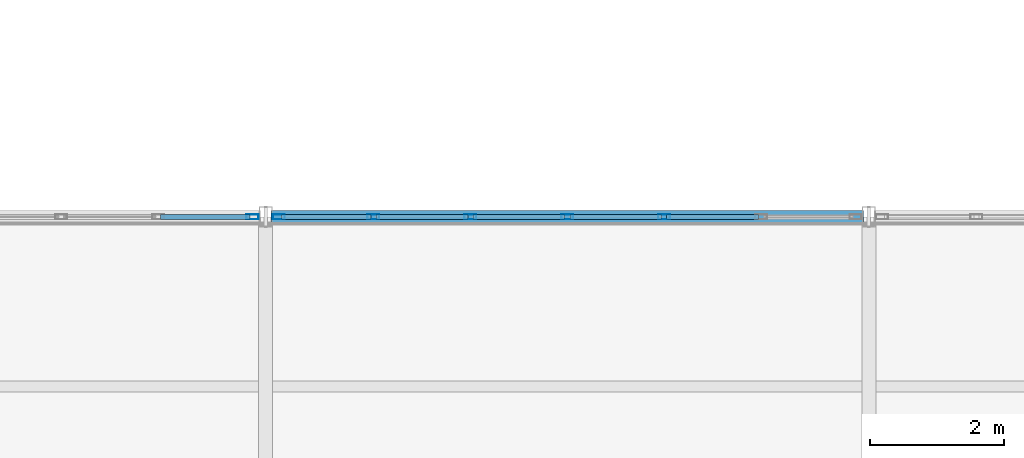
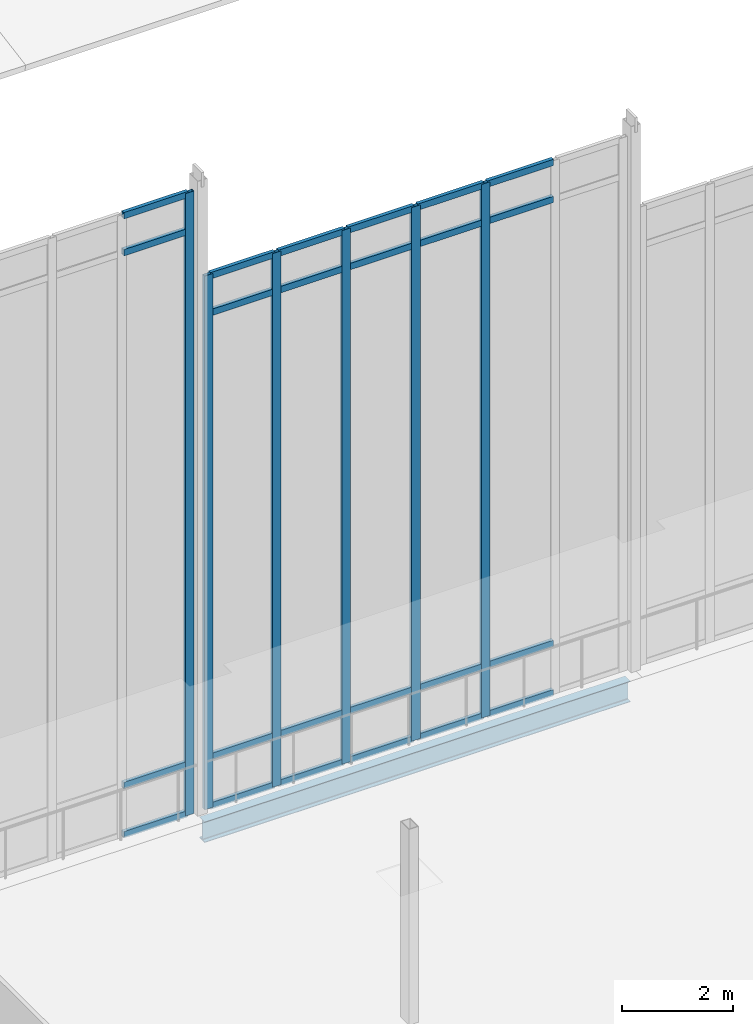
# One storey, part 45 of 166: 30 members, 1 beam, 2 elements without a shape of their own.
"""IFC4 building model written with IfcOpenShell, lengths in metres."""

from ifc_helpers import new_model, si_unit, direction, frame, origin, origin_2d, place, context, subcontext, project, spatial, hollow_rectangle, i_section, extrude, material, material_profile, profile_set, type_object, element, aggregate, save


model = new_model("IFC4")

# Units and contexts
model_context = context("Model", 3, precision=1e-05, world=origin(), true_north=direction((0.0, 1.0)))
body_context = subcontext(model_context, "Body", "Model", "MODEL_VIEW")
ifc_project = project(units=[si_unit("LENGTHUNIT", "METRE"), si_unit("AREAUNIT", "SQUARE_METRE"), si_unit("VOLUMEUNIT", "CUBIC_METRE"), si_unit("PLANEANGLEUNIT", "RADIAN"), si_unit("MASSUNIT", "GRAM", prefix="KILO")], contexts=[model_context])

# Site, building, storey
site_placement = place(None, origin())
site = spatial("IfcSite", under=ifc_project, at=site_placement, CompositionType="ELEMENT")
building_placement = place(site_placement, origin())
building = spatial("IfcBuilding", under=site, at=building_placement, Name="Caisbarro Railhouse Central Library", CompositionType="ELEMENT")
storey_placement = place(building_placement, frame((0.0, 0.0, 9.360107421875)))
storey = spatial("IfcBuildingStorey", under=building, at=storey_placement, Name="L02", CompositionType="ELEMENT", Elevation=9.360107421875)

# Beam
ifc_material_1 = material(Name="Steel ASTM A572 Grade 50", Category="steel")
ifc_material_profile_1 = material_profile(ifc_material_1, i_section(OverallWidth=0.18994140625, OverallDepth=0.45703125, WebThickness=0.009033203125, FlangeThickness=0.014404296875, FilletRadius=0.01806640625, at=origin_2d()), Name="W460X74.0")
ifc_profile_set_1 = profile_set([ifc_material_profile_1], Name="Steel ASTM A572 Grade 50")
beam_type = type_object("IfcBeamType", Name="BM-SP01", PredefinedType="SPANDREL", material=ifc_profile_set_1)
beam_placement = place(storey_placement, frame((9.080078125, 60.800048828125, -0.448486328125), z_axis=(1.0, 0.0, 0.0), x_axis=(0.0, 1.0, 0.0)))
element("IfcBeam", 1, at=beam_placement, inside=storey, type_object=beam_type, Name="SP01 beam L02 #1381", PredefinedType="SPANDREL", context=body_context, shape_type="SweptSolid", body=[
    extrude(i_section(OverallWidth=0.18994140625, OverallDepth=0.45703125, WebThickness=0.009033203125, FlangeThickness=0.014404296875, FilletRadius=0.01806640625, at=origin_2d()), origin(), (0.0, 0.0, 1.0), 8.83984375),
])

# Curtain wall, member
ifc_material_2 = material(Name="Anodised architectural aluminium", Category="aluminium")
curtain_wall_type = type_object("IfcCurtainWallType", Name="CW-CW05", PredefinedType="NOTDEFINED", material=ifc_material_2)
curtain_wall_1_placement = place(storey_placement, origin())
curtain_wall_1 = element("IfcCurtainWall", 2, at=curtain_wall_1_placement, inside=storey, type_object=curtain_wall_type, Name="CW05 curtain wall L02 #3", PredefinedType="NOTDEFINED")
ifc_material_profile_2 = material_profile(ifc_material_2, hollow_rectangle(XDim=0.074951171875, YDim=0.179931640625, WallThickness=0.00439453125, at=origin_2d()), Name="ALU-MUL-75X180")
ifc_profile_set_2 = profile_set([ifc_material_profile_2], Name="Anodised architectural aluminium")
member_type_1 = type_object("IfcMemberType", Name="CWM-M01", PredefinedType="MULLION", material=ifc_profile_set_2)
member_1_placement = place(storey_placement, frame((8.802490234375, 60.800048828125, 0.0), z_axis=(0.0, 0.0, 1.0), x_axis=(0.0, 1.0, 0.0)))
member_1 = element("IfcMember", 3, at=member_1_placement, type_object=member_type_1, Name="CW05 mullion 7", PredefinedType="MULLION", context=body_context, shape_type="SweptSolid", body=[
    extrude(hollow_rectangle(XDim=0.074951171875, YDim=0.179931640625, WallThickness=0.00439453125, at=origin_2d()), origin(), (0.0, 0.0, 1.0), 13.669921875),
])

# Curtain wall, members
curtain_wall_2_placement = place(storey_placement, origin())
curtain_wall_2 = element("IfcCurtainWall", 4, at=curtain_wall_2_placement, inside=storey, type_object=curtain_wall_type, Name="CW05 curtain wall L02 #5", PredefinedType="NOTDEFINED")
member_2_placement = place(storey_placement, frame((9.197509765625, 60.800048828125, 0.0), z_axis=(0.0, 0.0, 1.0), x_axis=(0.0, 1.0, 0.0)))
member_2 = element("IfcMember", 5, at=member_2_placement, type_object=member_type_1, Name="CW05 mullion 1", PredefinedType="MULLION", context=body_context, shape_type="SweptSolid", body=[
    extrude(hollow_rectangle(XDim=0.074951171875, YDim=0.179931640625, WallThickness=0.00439453125, at=origin_2d()), origin(), (0.0, 0.0, 1.0), 11.719970703125),
])
member_3_placement = place(storey_placement, frame((10.606689453125, 60.800048828125, 0.0), z_axis=(0.0, 0.0, 1.0), x_axis=(0.0, 1.0, 0.0)))
member_3 = element("IfcMember", 6, at=member_3_placement, type_object=member_type_1, Name="CW05 mullion 2", PredefinedType="MULLION", context=body_context, shape_type="SweptSolid", body=[
    extrude(hollow_rectangle(XDim=0.074951171875, YDim=0.179931640625, WallThickness=0.00439453125, at=origin_2d()), origin(), (0.0, 0.0, 1.0), 11.719970703125),
])
member_4_placement = place(storey_placement, frame((12.05322265625, 60.800048828125, 0.0), z_axis=(0.0, 0.0, 1.0), x_axis=(0.0, 1.0, 0.0)))
member_4 = element("IfcMember", 7, at=member_4_placement, type_object=member_type_1, Name="CW05 mullion 3", PredefinedType="MULLION", context=body_context, shape_type="SweptSolid", body=[
    extrude(hollow_rectangle(XDim=0.074951171875, YDim=0.179931640625, WallThickness=0.00439453125, at=origin_2d()), origin(), (0.0, 0.0, 1.0), 11.719970703125),
])
member_5_placement = place(storey_placement, frame((13.5, 60.800048828125, 0.0), z_axis=(0.0, 0.0, 1.0), x_axis=(0.0, 1.0, 0.0)))
member_5 = element("IfcMember", 8, at=member_5_placement, type_object=member_type_1, Name="CW05 mullion 4", PredefinedType="MULLION", context=body_context, shape_type="SweptSolid", body=[
    extrude(hollow_rectangle(XDim=0.074951171875, YDim=0.179931640625, WallThickness=0.00439453125, at=origin_2d()), origin(), (0.0, 0.0, 1.0), 11.719970703125),
])
member_6_placement = place(storey_placement, frame((14.94677734375, 60.800048828125, 0.0), z_axis=(0.0, 0.0, 1.0), x_axis=(0.0, 1.0, 0.0)))
member_6 = element("IfcMember", 9, at=member_6_placement, type_object=member_type_1, Name="CW05 mullion 5", PredefinedType="MULLION", context=body_context, shape_type="SweptSolid", body=[
    extrude(hollow_rectangle(XDim=0.074951171875, YDim=0.179931640625, WallThickness=0.00439453125, at=origin_2d()), origin(), (0.0, 0.0, 1.0), 11.719970703125),
])

# Member
ifc_material_profile_3 = material_profile(ifc_material_2, hollow_rectangle(XDim=0.074951171875, YDim=0.139892578125, WallThickness=0.00390625, at=origin_2d()), Name="ALU-TRN-75X140")
ifc_profile_set_3 = profile_set([ifc_material_profile_3], Name="Anodised architectural aluminium")
member_type_2 = type_object("IfcMemberType", Name="CWT-T01", PredefinedType="USERDEFINED", material=ifc_profile_set_3)
member_7_placement = place(storey_placement, frame((7.430908203125, 60.800048828125, 0.037353515625), z_axis=(1.0, 0.0, 0.0), x_axis=(0.0, 1.0, 0.0)))
member_7 = element("IfcMember", 10, at=member_7_placement, type_object=member_type_2, Name="CW05 transom 6.1", ObjectType="TRANSOM", PredefinedType="USERDEFINED", context=body_context, shape_type="SweptSolid", body=[
    extrude(hollow_rectangle(XDim=0.074951171875, YDim=0.139892578125, WallThickness=0.00390625, at=origin_2d()), origin(), (0.0, 0.0, 1.0), 1.333984375),
])

member_8_placement = place(storey_placement, frame((7.430908203125, 60.800048828125, 1.119873046875), z_axis=(1.0, 0.0, 0.0), x_axis=(0.0, 1.0, 0.0)))
member_8 = element("IfcMember", 11, at=member_8_placement, type_object=member_type_2, Name="CW05 transom 6.2", ObjectType="TRANSOM", PredefinedType="USERDEFINED", context=body_context, shape_type="SweptSolid", body=[
    extrude(hollow_rectangle(XDim=0.074951171875, YDim=0.139892578125, WallThickness=0.00390625, at=origin_2d()), origin(), (0.0, 0.0, 1.0), 1.333984375),
])

member_9_placement = place(storey_placement, frame((7.430908203125, 60.800048828125, 12.81982421875), z_axis=(1.0, 0.0, 0.0), x_axis=(0.0, 1.0, 0.0)))
member_9 = element("IfcMember", 12, at=member_9_placement, type_object=member_type_2, Name="CW05 transom 6.3", ObjectType="TRANSOM", PredefinedType="USERDEFINED", context=body_context, shape_type="SweptSolid", body=[
    extrude(hollow_rectangle(XDim=0.074951171875, YDim=0.139892578125, WallThickness=0.00390625, at=origin_2d()), origin(), (0.0, 0.0, 1.0), 1.333984375),
])

member_10_placement = place(storey_placement, frame((7.430908203125, 60.800048828125, 13.63232421875), z_axis=(1.0, 0.0, 0.0), x_axis=(0.0, 1.0, 0.0)))
member_10 = element("IfcMember", 13, at=member_10_placement, type_object=member_type_2, Name="CW05 transom 6.4", ObjectType="TRANSOM", PredefinedType="USERDEFINED", context=body_context, shape_type="SweptSolid", body=[
    extrude(hollow_rectangle(XDim=0.074951171875, YDim=0.139892578125, WallThickness=0.00390625, at=origin_2d()), origin(), (0.0, 0.0, 1.0), 1.333984375),
])

aggregate(curtain_wall_1, [member_1, member_7, member_8, member_9, member_10])

member_11_placement = place(storey_placement, frame((9.235107421875, 60.800048828125, 0.037353515625), z_axis=(1.0, 0.0, 0.0), x_axis=(0.0, 1.0, 0.0)))
member_11 = element("IfcMember", 14, at=member_11_placement, type_object=member_type_2, Name="CW05 transom 1.1", ObjectType="TRANSOM", PredefinedType="USERDEFINED", context=body_context, shape_type="SweptSolid", body=[
    extrude(hollow_rectangle(XDim=0.074951171875, YDim=0.139892578125, WallThickness=0.00390625, at=origin_2d()), origin(), (0.0, 0.0, 1.0), 1.333984375),
])

member_12_placement = place(storey_placement, frame((9.235107421875, 60.800048828125, 1.119873046875), z_axis=(1.0, 0.0, 0.0), x_axis=(0.0, 1.0, 0.0)))
member_12 = element("IfcMember", 15, at=member_12_placement, type_object=member_type_2, Name="CW05 transom 1.2", ObjectType="TRANSOM", PredefinedType="USERDEFINED", context=body_context, shape_type="SweptSolid", body=[
    extrude(hollow_rectangle(XDim=0.074951171875, YDim=0.139892578125, WallThickness=0.00390625, at=origin_2d()), origin(), (0.0, 0.0, 1.0), 1.333984375),
])

member_13_placement = place(storey_placement, frame((9.235107421875, 60.800048828125, 10.869873046875), z_axis=(1.0, 0.0, 0.0), x_axis=(0.0, 1.0, 0.0)))
member_13 = element("IfcMember", 16, at=member_13_placement, type_object=member_type_2, Name="CW05 transom 1.3", ObjectType="TRANSOM", PredefinedType="USERDEFINED", context=body_context, shape_type="SweptSolid", body=[
    extrude(hollow_rectangle(XDim=0.074951171875, YDim=0.139892578125, WallThickness=0.00390625, at=origin_2d()), origin(), (0.0, 0.0, 1.0), 1.333984375),
])

member_14_placement = place(storey_placement, frame((9.235107421875, 60.800048828125, 11.682373046875), z_axis=(1.0, 0.0, 0.0), x_axis=(0.0, 1.0, 0.0)))
member_14 = element("IfcMember", 17, at=member_14_placement, type_object=member_type_2, Name="CW05 transom 1.4", ObjectType="TRANSOM", PredefinedType="USERDEFINED", context=body_context, shape_type="SweptSolid", body=[
    extrude(hollow_rectangle(XDim=0.074951171875, YDim=0.139892578125, WallThickness=0.00390625, at=origin_2d()), origin(), (0.0, 0.0, 1.0), 1.333984375),
])

member_15_placement = place(storey_placement, frame((10.644287109375, 60.800048828125, 0.037353515625), z_axis=(1.0, 0.0, 0.0), x_axis=(0.0, 1.0, 0.0)))
member_15 = element("IfcMember", 18, at=member_15_placement, type_object=member_type_2, Name="CW05 transom 2.1", ObjectType="TRANSOM", PredefinedType="USERDEFINED", context=body_context, shape_type="SweptSolid", body=[
    extrude(hollow_rectangle(XDim=0.074951171875, YDim=0.139892578125, WallThickness=0.00390625, at=origin_2d()), origin(), (0.0, 0.0, 1.0), 1.37158203125),
])

member_16_placement = place(storey_placement, frame((10.644287109375, 60.800048828125, 1.119873046875), z_axis=(1.0, 0.0, 0.0), x_axis=(0.0, 1.0, 0.0)))
member_16 = element("IfcMember", 19, at=member_16_placement, type_object=member_type_2, Name="CW05 transom 2.2", ObjectType="TRANSOM", PredefinedType="USERDEFINED", context=body_context, shape_type="SweptSolid", body=[
    extrude(hollow_rectangle(XDim=0.074951171875, YDim=0.139892578125, WallThickness=0.00390625, at=origin_2d()), origin(), (0.0, 0.0, 1.0), 1.37158203125),
])

member_17_placement = place(storey_placement, frame((10.644287109375, 60.800048828125, 10.869873046875), z_axis=(1.0, 0.0, 0.0), x_axis=(0.0, 1.0, 0.0)))
member_17 = element("IfcMember", 20, at=member_17_placement, type_object=member_type_2, Name="CW05 transom 2.3", ObjectType="TRANSOM", PredefinedType="USERDEFINED", context=body_context, shape_type="SweptSolid", body=[
    extrude(hollow_rectangle(XDim=0.074951171875, YDim=0.139892578125, WallThickness=0.00390625, at=origin_2d()), origin(), (0.0, 0.0, 1.0), 1.37158203125),
])

member_18_placement = place(storey_placement, frame((10.644287109375, 60.800048828125, 11.682373046875), z_axis=(1.0, 0.0, 0.0), x_axis=(0.0, 1.0, 0.0)))
member_18 = element("IfcMember", 21, at=member_18_placement, type_object=member_type_2, Name="CW05 transom 2.4", ObjectType="TRANSOM", PredefinedType="USERDEFINED", context=body_context, shape_type="SweptSolid", body=[
    extrude(hollow_rectangle(XDim=0.074951171875, YDim=0.139892578125, WallThickness=0.00390625, at=origin_2d()), origin(), (0.0, 0.0, 1.0), 1.37158203125),
])

member_19_placement = place(storey_placement, frame((12.0908203125, 60.800048828125, 0.037353515625), z_axis=(1.0, 0.0, 0.0), x_axis=(0.0, 1.0, 0.0)))
member_19 = element("IfcMember", 22, at=member_19_placement, type_object=member_type_2, Name="CW05 transom 3.1", ObjectType="TRANSOM", PredefinedType="USERDEFINED", context=body_context, shape_type="SweptSolid", body=[
    extrude(hollow_rectangle(XDim=0.074951171875, YDim=0.139892578125, WallThickness=0.00390625, at=origin_2d()), origin(), (0.0, 0.0, 1.0), 1.37158203125),
])

member_20_placement = place(storey_placement, frame((12.0908203125, 60.800048828125, 1.119873046875), z_axis=(1.0, 0.0, 0.0), x_axis=(0.0, 1.0, 0.0)))
member_20 = element("IfcMember", 23, at=member_20_placement, type_object=member_type_2, Name="CW05 transom 3.2", ObjectType="TRANSOM", PredefinedType="USERDEFINED", context=body_context, shape_type="SweptSolid", body=[
    extrude(hollow_rectangle(XDim=0.074951171875, YDim=0.139892578125, WallThickness=0.00390625, at=origin_2d()), origin(), (0.0, 0.0, 1.0), 1.37158203125),
])

member_21_placement = place(storey_placement, frame((12.0908203125, 60.800048828125, 10.869873046875), z_axis=(1.0, 0.0, 0.0), x_axis=(0.0, 1.0, 0.0)))
member_21 = element("IfcMember", 24, at=member_21_placement, type_object=member_type_2, Name="CW05 transom 3.3", ObjectType="TRANSOM", PredefinedType="USERDEFINED", context=body_context, shape_type="SweptSolid", body=[
    extrude(hollow_rectangle(XDim=0.074951171875, YDim=0.139892578125, WallThickness=0.00390625, at=origin_2d()), origin(), (0.0, 0.0, 1.0), 1.37158203125),
])

member_22_placement = place(storey_placement, frame((12.0908203125, 60.800048828125, 11.682373046875), z_axis=(1.0, 0.0, 0.0), x_axis=(0.0, 1.0, 0.0)))
member_22 = element("IfcMember", 25, at=member_22_placement, type_object=member_type_2, Name="CW05 transom 3.4", ObjectType="TRANSOM", PredefinedType="USERDEFINED", context=body_context, shape_type="SweptSolid", body=[
    extrude(hollow_rectangle(XDim=0.074951171875, YDim=0.139892578125, WallThickness=0.00390625, at=origin_2d()), origin(), (0.0, 0.0, 1.0), 1.37158203125),
])

member_23_placement = place(storey_placement, frame((13.53759765625, 60.800048828125, 0.037353515625), z_axis=(1.0, 0.0, 0.0), x_axis=(0.0, 1.0, 0.0)))
member_23 = element("IfcMember", 26, at=member_23_placement, type_object=member_type_2, Name="CW05 transom 4.1", ObjectType="TRANSOM", PredefinedType="USERDEFINED", context=body_context, shape_type="SweptSolid", body=[
    extrude(hollow_rectangle(XDim=0.074951171875, YDim=0.139892578125, WallThickness=0.00390625, at=origin_2d()), origin(), (0.0, 0.0, 1.0), 1.37158203125),
])

member_24_placement = place(storey_placement, frame((13.53759765625, 60.800048828125, 1.119873046875), z_axis=(1.0, 0.0, 0.0), x_axis=(0.0, 1.0, 0.0)))
member_24 = element("IfcMember", 27, at=member_24_placement, type_object=member_type_2, Name="CW05 transom 4.2", ObjectType="TRANSOM", PredefinedType="USERDEFINED", context=body_context, shape_type="SweptSolid", body=[
    extrude(hollow_rectangle(XDim=0.074951171875, YDim=0.139892578125, WallThickness=0.00390625, at=origin_2d()), origin(), (0.0, 0.0, 1.0), 1.37158203125),
])

member_25_placement = place(storey_placement, frame((13.53759765625, 60.800048828125, 10.869873046875), z_axis=(1.0, 0.0, 0.0), x_axis=(0.0, 1.0, 0.0)))
member_25 = element("IfcMember", 28, at=member_25_placement, type_object=member_type_2, Name="CW05 transom 4.3", ObjectType="TRANSOM", PredefinedType="USERDEFINED", context=body_context, shape_type="SweptSolid", body=[
    extrude(hollow_rectangle(XDim=0.074951171875, YDim=0.139892578125, WallThickness=0.00390625, at=origin_2d()), origin(), (0.0, 0.0, 1.0), 1.37158203125),
])

member_26_placement = place(storey_placement, frame((13.53759765625, 60.800048828125, 11.682373046875), z_axis=(1.0, 0.0, 0.0), x_axis=(0.0, 1.0, 0.0)))
member_26 = element("IfcMember", 29, at=member_26_placement, type_object=member_type_2, Name="CW05 transom 4.4", ObjectType="TRANSOM", PredefinedType="USERDEFINED", context=body_context, shape_type="SweptSolid", body=[
    extrude(hollow_rectangle(XDim=0.074951171875, YDim=0.139892578125, WallThickness=0.00390625, at=origin_2d()), origin(), (0.0, 0.0, 1.0), 1.37158203125),
])

member_27_placement = place(storey_placement, frame((14.984130859375, 60.800048828125, 0.037353515625), z_axis=(1.0, 0.0, 0.0), x_axis=(0.0, 1.0, 0.0)))
member_27 = element("IfcMember", 30, at=member_27_placement, type_object=member_type_2, Name="CW05 transom 5.1", ObjectType="TRANSOM", PredefinedType="USERDEFINED", context=body_context, shape_type="SweptSolid", body=[
    extrude(hollow_rectangle(XDim=0.074951171875, YDim=0.139892578125, WallThickness=0.00390625, at=origin_2d()), origin(), (0.0, 0.0, 1.0), 1.37158203125),
])

member_28_placement = place(storey_placement, frame((14.984130859375, 60.800048828125, 1.119873046875), z_axis=(1.0, 0.0, 0.0), x_axis=(0.0, 1.0, 0.0)))
member_28 = element("IfcMember", 31, at=member_28_placement, type_object=member_type_2, Name="CW05 transom 5.2", ObjectType="TRANSOM", PredefinedType="USERDEFINED", context=body_context, shape_type="SweptSolid", body=[
    extrude(hollow_rectangle(XDim=0.074951171875, YDim=0.139892578125, WallThickness=0.00390625, at=origin_2d()), origin(), (0.0, 0.0, 1.0), 1.37158203125),
])

member_29_placement = place(storey_placement, frame((14.984130859375, 60.800048828125, 10.869873046875), z_axis=(1.0, 0.0, 0.0), x_axis=(0.0, 1.0, 0.0)))
member_29 = element("IfcMember", 32, at=member_29_placement, type_object=member_type_2, Name="CW05 transom 5.3", ObjectType="TRANSOM", PredefinedType="USERDEFINED", context=body_context, shape_type="SweptSolid", body=[
    extrude(hollow_rectangle(XDim=0.074951171875, YDim=0.139892578125, WallThickness=0.00390625, at=origin_2d()), origin(), (0.0, 0.0, 1.0), 1.37158203125),
])

member_30_placement = place(storey_placement, frame((14.984130859375, 60.800048828125, 11.682373046875), z_axis=(1.0, 0.0, 0.0), x_axis=(0.0, 1.0, 0.0)))
member_30 = element("IfcMember", 33, at=member_30_placement, type_object=member_type_2, Name="CW05 transom 5.4", ObjectType="TRANSOM", PredefinedType="USERDEFINED", context=body_context, shape_type="SweptSolid", body=[
    extrude(hollow_rectangle(XDim=0.074951171875, YDim=0.139892578125, WallThickness=0.00390625, at=origin_2d()), origin(), (0.0, 0.0, 1.0), 1.37158203125),
])

aggregate(curtain_wall_2, [member_2, member_3, member_4, member_5, member_6, member_11, member_12, member_13, member_14, member_15, member_16, member_17, member_18, member_19, member_20, member_21, member_22, member_23, member_24, member_25, member_26, member_27, member_28, member_29, member_30])

save(model, "model.ifc")
